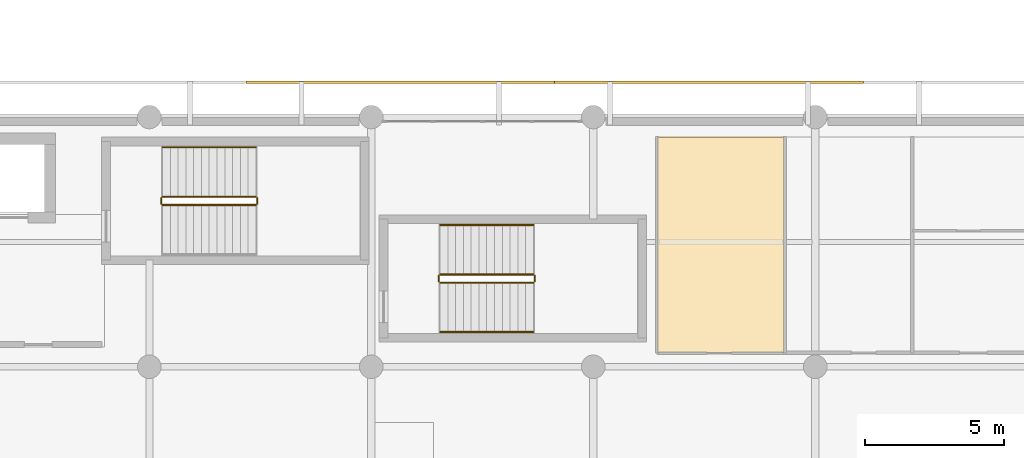
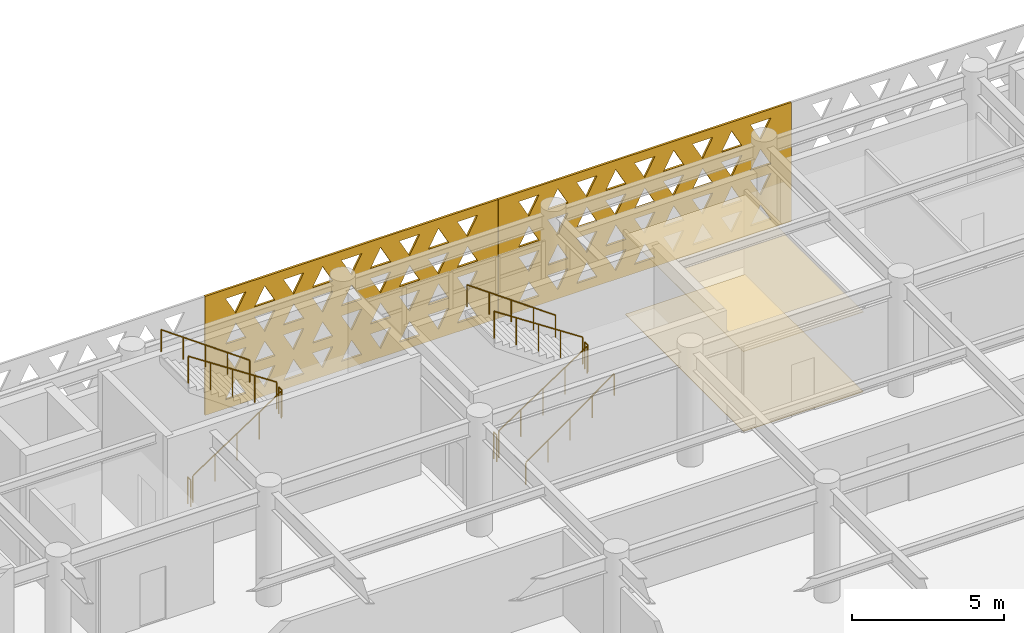
# One storey, part 46 of 54: 11 railings, 4 coverings.
"""IFC4 building model written with IfcOpenShell, lengths in metres."""

from ifc_helpers import new_model, si_unit, direction, frame, origin, origin_2d, place, context, subcontext, project, spatial, polyline, circle, outline, extrude, material, layer, layer_set, type_object, element, save


model = new_model("IFC4")

# Units and contexts
model_context = context("Model", 3, precision=1e-05, world=origin(), true_north=direction((0.0, 1.0)))
body_context = subcontext(model_context, "Body", "Model", "MODEL_VIEW")
ifc_project = project(units=[si_unit("LENGTHUNIT", "METRE"), si_unit("AREAUNIT", "SQUARE_METRE"), si_unit("VOLUMEUNIT", "CUBIC_METRE"), si_unit("PLANEANGLEUNIT", "RADIAN"), si_unit("MASSUNIT", "GRAM", prefix="KILO")], contexts=[model_context])

# Site, building, storey
site_placement = place(None, origin())
site = spatial("IfcSite", under=ifc_project, at=site_placement, CompositionType="ELEMENT")
building_placement = place(site_placement, origin())
building = spatial("IfcBuilding", under=site, at=building_placement, Name="Tlacozan Convention Centre", CompositionType="ELEMENT")
storey_placement = place(building_placement, frame((0.0, 0.0, 11.39990234375)))
storey = spatial("IfcBuildingStorey", under=building, at=storey_placement, Name="L02", CompositionType="ELEMENT", Elevation=11.39990234375)

# Coverings
ifc_material_1 = material(Name="Perforated Acoustic Mineral Fibre Ceiling")
ifc_layer_1 = layer(ifc_material_1, 0.02490234375)
ifc_layer_set_1 = layer_set([ifc_layer_1], Name="Perforated Acoustic Mineral Fibre Ceiling")
covering_type_1 = type_object("IfcCoveringType", Name="Acoustic Mineral Fibre Ceiling 25", PredefinedType="CEILING", material=ifc_layer_set_1)
covering_1_placement = place(storey_placement, frame((0.0, 0.0, 3.2001953125)))
element("IfcCovering", 1, at=covering_1_placement, inside=storey, type_object=covering_type_1, Name="L02 Acoustic Ceiling L02-WC1", PredefinedType="CEILING", context=body_context, shape_type="SweptSolid", body=[
    extrude(outline(polyline([(58.320068359375, 18.52001953125), (62.8798828125, 18.52001953125), (62.8798828125, 26.280029296875), (58.320068359375, 26.280029296875), (58.320068359375, 18.52001953125)])), origin(), (0.0, 0.0, 1.0), 0.02490234375),
])
ifc_material_2 = material(Name="Polished Basalt Terrazzo Flooring", Category="masonry")
ifc_layer_2 = layer(ifc_material_2, 0.02001953125)
ifc_layer_set_2 = layer_set([ifc_layer_2], Name="Polished Basalt Terrazzo Flooring")
covering_type_2 = type_object("IfcCoveringType", Name="Polished Basalt Terrazzo Flooring 20", PredefinedType="FLOORING", material=ifc_layer_set_2)
covering_2_placement = place(storey_placement, origin())
element("IfcCovering", 2, at=covering_2_placement, inside=storey, type_object=covering_type_2, Name="L02 Terrazzo Flooring L02-WC1", PredefinedType="FLOORING", context=body_context, shape_type="SweptSolid", body=[
    extrude(outline(polyline([(58.320068359375, 18.52001953125), (62.8798828125, 18.52001953125), (62.8798828125, 26.280029296875), (58.320068359375, 26.280029296875), (58.320068359375, 18.52001953125)])), origin(), (0.0, 0.0, 1.0), 0.02001953125),
])

# Railings
ifc_material_3 = material(Name="Architectural Painted Galvanised Steel Railing", Category="steel")
railing_type_1 = type_object("IfcRailingType", Name="Stair Wall Handrail 900", PredefinedType="HANDRAIL", material=ifc_material_3)
railing_1_placement = place(storey_placement, frame((43.840087890625, 25.909912109375, 2.584716796875)))
element("IfcRailing", 3, at=railing_1_placement, inside=storey, type_object=railing_type_1, Name="L02 ST-04 stair handrail 2", PredefinedType="HANDRAIL", context=body_context, shape_type="SweptSolid", body=[
    extrude(circle(Radius=0.02392578125, at=origin_2d()), frame((0.0, 0.0, 0.8759765625), z_axis=(-0.813753445783, 0.0, 0.581210228297), x_axis=(0.0, -1.0, 0.0)), (0.0, 0.0, 1.0), 4.129150390625),
    extrude(circle(Radius=0.02099609375, at=origin_2d()), origin(), (0.0, 0.0, 1.0), 0.851806640625),
    extrude(circle(Radius=0.02099609375, at=origin_2d()), frame((-0.840087890625, 0.0, 0.60009765625)), (0.0, 0.0, 1.0), 0.851806640625),
    extrude(circle(Radius=0.02099609375, at=origin_2d()), frame((-1.68017578125, 0.0, 1.199951171875)), (0.0, 0.0, 1.0), 0.851806640625),
    extrude(circle(Radius=0.02099609375, at=origin_2d()), frame((-2.52001953125, 0.0, 1.7998046875)), (0.0, 0.0, 1.0), 0.851806640625),
    extrude(circle(Radius=0.02099609375, at=origin_2d()), frame((-3.360107421875, 0.0, 2.39990234375)), (0.0, 0.0, 1.0), 0.851806640625),
])
railing_2_placement = place(storey_placement, frame((50.47998046875, 19.25, 0.184814453125)))
element("IfcRailing", 4, at=railing_2_placement, inside=storey, type_object=railing_type_1, Name="L02 ST-14 stair handrail 1", PredefinedType="HANDRAIL", context=body_context, shape_type="SweptSolid", body=[
    extrude(circle(Radius=0.02392578125, at=origin_2d()), frame((0.0, 0.0, 0.8759765625), z_axis=(0.813753445783, 0.0, 0.581210228297), x_axis=(0.0, 1.0, 0.0)), (0.0, 0.0, 1.0), 4.129150390625),
    extrude(circle(Radius=0.02099609375, at=origin_2d()), origin(), (0.0, 0.0, 1.0), 0.851806640625),
    extrude(circle(Radius=0.02099609375, at=origin_2d()), frame((0.840087890625, 0.0, 0.60009765625)), (0.0, 0.0, 1.0), 0.851806640625),
    extrude(circle(Radius=0.02099609375, at=origin_2d()), frame((1.68017578125, 0.0, 1.199951171875)), (0.0, 0.0, 1.0), 0.851806640625),
    extrude(circle(Radius=0.02099609375, at=origin_2d()), frame((2.52001953125, 0.0, 1.7998046875)), (0.0, 0.0, 1.0), 0.851806640625),
    extrude(circle(Radius=0.02099609375, at=origin_2d()), frame((3.360107421875, 0.0, 2.39990234375)), (0.0, 0.0, 1.0), 0.851806640625),
])
railing_3_placement = place(storey_placement, frame((53.840087890625, 23.110107421875, 2.584716796875)))
element("IfcRailing", 5, at=railing_3_placement, inside=storey, type_object=railing_type_1, Name="L02 ST-14 stair handrail 2", PredefinedType="HANDRAIL", context=body_context, shape_type="SweptSolid", body=[
    extrude(circle(Radius=0.02392578125, at=origin_2d()), frame((0.0, 0.0, 0.8759765625), z_axis=(-0.813753445783, 0.0, 0.581210228297), x_axis=(0.0, -1.0, 0.0)), (0.0, 0.0, 1.0), 4.129150390625),
    extrude(circle(Radius=0.02099609375, at=origin_2d()), origin(), (0.0, 0.0, 1.0), 0.851806640625),
    extrude(circle(Radius=0.02099609375, at=origin_2d()), frame((-0.840087890625, 0.0, 0.60009765625)), (0.0, 0.0, 1.0), 0.851806640625),
    extrude(circle(Radius=0.02099609375, at=origin_2d()), frame((-1.68017578125, 0.0, 1.199951171875)), (0.0, 0.0, 1.0), 0.851806640625),
    extrude(circle(Radius=0.02099609375, at=origin_2d()), frame((-2.52001953125, 0.0, 1.7998046875)), (0.0, 0.0, 1.0), 0.851806640625),
    extrude(circle(Radius=0.02099609375, at=origin_2d()), frame((-3.360107421875, 0.0, 2.39990234375)), (0.0, 0.0, 1.0), 0.851806640625),
])
railing_type_2 = type_object("IfcRailingType", Name="Stair Well Guardrail 1100", PredefinedType="GUARDRAIL", material=ifc_material_3)
railing_4_placement = place(storey_placement, frame((40.47998046875, 23.830078125, 0.184814453125)))
element("IfcRailing", 6, at=railing_4_placement, inside=storey, type_object=railing_type_2, Name="L02 ST-04 stair guard 1", PredefinedType="GUARDRAIL", context=body_context, shape_type="SweptSolid", body=[
    extrude(circle(Radius=0.02392578125, at=origin_2d()), frame((0.0, 0.0, 1.076171875), z_axis=(0.834876476806, 0.0, 0.550437342915), x_axis=(0.0, 1.0, 0.0)), (0.0, 0.0, 1.0), 4.024658203125),
    extrude(circle(Radius=0.02099609375, at=origin_2d()), origin(), (0.0, 0.0, 1.0), 1.052001953125),
    extrude(circle(Radius=0.02099609375, at=origin_2d()), frame((0.840087890625, 0.0, 0.5537109375)), (0.0, 0.0, 1.0), 1.052001953125),
    extrude(circle(Radius=0.02099609375, at=origin_2d()), frame((1.68017578125, 0.0, 1.107666015625)), (0.0, 0.0, 1.0), 1.052001953125),
    extrude(circle(Radius=0.02099609375, at=origin_2d()), frame((2.52001953125, 0.0, 1.66162109375)), (0.0, 0.0, 1.0), 1.052001953125),
    extrude(circle(Radius=0.02099609375, at=origin_2d()), frame((3.360107421875, 0.0, 2.21533203125)), (0.0, 0.0, 1.0), 1.052001953125),
])
railing_5_placement = place(storey_placement, frame((43.889892578125, 23.8798828125, 2.400146484375)))
element("IfcRailing", 7, at=railing_5_placement, inside=storey, type_object=railing_type_2, Name="L02 ST-04 stair guard 2", PredefinedType="GUARDRAIL", context=body_context, shape_type="SweptSolid", body=[
    extrude(circle(Radius=0.02392578125, at=origin_2d()), frame((0.0, 0.0, 1.076171875), z_axis=(0.0, 1.0, 0.0), x_axis=(-1.0, 0.0, 0.0)), (0.0, 0.0, 1.0), 0.2001953125),
    extrude(circle(Radius=0.02099609375, at=origin_2d()), origin(), (0.0, 0.0, 1.0), 1.052001953125),
    extrude(circle(Radius=0.02099609375, at=origin_2d()), frame((0.0, 0.2001953125, 0.0)), (0.0, 0.0, 1.0), 1.052001953125),
])
railing_6_placement = place(storey_placement, frame((43.840087890625, 24.1298828125, 2.584716796875)))
element("IfcRailing", 8, at=railing_6_placement, inside=storey, type_object=railing_type_2, Name="L02 ST-04 stair guard 3", PredefinedType="GUARDRAIL", context=body_context, shape_type="SweptSolid", body=[
    extrude(circle(Radius=0.02392578125, at=origin_2d()), frame((0.0, 0.0, 1.076171875), z_axis=(-0.834876476806, 0.0, 0.550437342915), x_axis=(0.0, -1.0, 0.0)), (0.0, 0.0, 1.0), 4.024658203125),
    extrude(circle(Radius=0.02099609375, at=origin_2d()), origin(), (0.0, 0.0, 1.0), 1.052001953125),
    extrude(circle(Radius=0.02099609375, at=origin_2d()), frame((-0.840087890625, 0.0, 0.5537109375)), (0.0, 0.0, 1.0), 1.052001953125),
    extrude(circle(Radius=0.02099609375, at=origin_2d()), frame((-1.68017578125, 0.0, 1.107666015625)), (0.0, 0.0, 1.0), 1.052001953125),
    extrude(circle(Radius=0.02099609375, at=origin_2d()), frame((-2.52001953125, 0.0, 1.66162109375)), (0.0, 0.0, 1.0), 1.052001953125),
    extrude(circle(Radius=0.02099609375, at=origin_2d()), frame((-3.360107421875, 0.0, 2.21533203125)), (0.0, 0.0, 1.0), 1.052001953125),
])
railing_7_placement = place(storey_placement, frame((40.429931640625, 23.8798828125, 0.0)))
element("IfcRailing", 9, at=railing_7_placement, inside=storey, type_object=railing_type_2, Name="L02 ST-04 stair guard 4", PredefinedType="GUARDRAIL", context=body_context, shape_type="SweptSolid", body=[
    extrude(circle(Radius=0.02392578125, at=origin_2d()), frame((0.0, 0.0, 1.076171875), z_axis=(0.0, 1.0, 0.0), x_axis=(-1.0, 0.0, 0.0)), (0.0, 0.0, 1.0), 0.2001953125),
    extrude(circle(Radius=0.02099609375, at=origin_2d()), origin(), (0.0, 0.0, 1.0), 1.052001953125),
    extrude(circle(Radius=0.02099609375, at=origin_2d()), frame((0.0, 0.2001953125, 0.0)), (0.0, 0.0, 1.0), 1.052001953125),
])
railing_8_placement = place(storey_placement, frame((50.47998046875, 21.030029296875, 0.184814453125)))
element("IfcRailing", 10, at=railing_8_placement, inside=storey, type_object=railing_type_2, Name="L02 ST-14 stair guard 1", PredefinedType="GUARDRAIL", context=body_context, shape_type="SweptSolid", body=[
    extrude(circle(Radius=0.02392578125, at=origin_2d()), frame((0.0, 0.0, 1.076171875), z_axis=(0.834876476806, 0.0, 0.550437342915), x_axis=(0.0, 1.0, 0.0)), (0.0, 0.0, 1.0), 4.024658203125),
    extrude(circle(Radius=0.02099609375, at=origin_2d()), origin(), (0.0, 0.0, 1.0), 1.052001953125),
    extrude(circle(Radius=0.02099609375, at=origin_2d()), frame((0.840087890625, 0.0, 0.5537109375)), (0.0, 0.0, 1.0), 1.052001953125),
    extrude(circle(Radius=0.02099609375, at=origin_2d()), frame((1.68017578125, 0.0, 1.107666015625)), (0.0, 0.0, 1.0), 1.052001953125),
    extrude(circle(Radius=0.02099609375, at=origin_2d()), frame((2.52001953125, 0.0, 1.66162109375)), (0.0, 0.0, 1.0), 1.052001953125),
    extrude(circle(Radius=0.02099609375, at=origin_2d()), frame((3.360107421875, 0.0, 2.21533203125)), (0.0, 0.0, 1.0), 1.052001953125),
])
railing_9_placement = place(storey_placement, frame((53.889892578125, 21.080078125, 2.400146484375)))
element("IfcRailing", 11, at=railing_9_placement, inside=storey, type_object=railing_type_2, Name="L02 ST-14 stair guard 2", PredefinedType="GUARDRAIL", context=body_context, shape_type="SweptSolid", body=[
    extrude(circle(Radius=0.02392578125, at=origin_2d()), frame((0.0, 0.0, 1.076171875), z_axis=(0.0, 1.0, 0.0), x_axis=(-1.0, 0.0, 0.0)), (0.0, 0.0, 1.0), 0.199951171875),
    extrude(circle(Radius=0.02099609375, at=origin_2d()), origin(), (0.0, 0.0, 1.0), 1.052001953125),
    extrude(circle(Radius=0.02099609375, at=origin_2d()), frame((0.0, 0.199951171875, 0.0)), (0.0, 0.0, 1.0), 1.052001953125),
])
railing_10_placement = place(storey_placement, frame((53.840087890625, 21.330078125, 2.584716796875)))
element("IfcRailing", 12, at=railing_10_placement, inside=storey, type_object=railing_type_2, Name="L02 ST-14 stair guard 3", PredefinedType="GUARDRAIL", context=body_context, shape_type="SweptSolid", body=[
    extrude(circle(Radius=0.02392578125, at=origin_2d()), frame((0.0, 0.0, 1.076171875), z_axis=(-0.834876476806, 0.0, 0.550437342915), x_axis=(0.0, -1.0, 0.0)), (0.0, 0.0, 1.0), 4.024658203125),
    extrude(circle(Radius=0.02099609375, at=origin_2d()), origin(), (0.0, 0.0, 1.0), 1.052001953125),
    extrude(circle(Radius=0.02099609375, at=origin_2d()), frame((-0.840087890625, 0.0, 0.5537109375)), (0.0, 0.0, 1.0), 1.052001953125),
    extrude(circle(Radius=0.02099609375, at=origin_2d()), frame((-1.68017578125, 0.0, 1.107666015625)), (0.0, 0.0, 1.0), 1.052001953125),
    extrude(circle(Radius=0.02099609375, at=origin_2d()), frame((-2.52001953125, 0.0, 1.66162109375)), (0.0, 0.0, 1.0), 1.052001953125),
    extrude(circle(Radius=0.02099609375, at=origin_2d()), frame((-3.360107421875, 0.0, 2.21533203125)), (0.0, 0.0, 1.0), 1.052001953125),
])
railing_11_placement = place(storey_placement, frame((50.429931640625, 21.080078125, 0.0)))
element("IfcRailing", 13, at=railing_11_placement, inside=storey, type_object=railing_type_2, Name="L02 ST-14 stair guard 4", PredefinedType="GUARDRAIL", context=body_context, shape_type="SweptSolid", body=[
    extrude(circle(Radius=0.02392578125, at=origin_2d()), frame((0.0, 0.0, 1.076171875), z_axis=(0.0, 1.0, 0.0), x_axis=(-1.0, 0.0, 0.0)), (0.0, 0.0, 1.0), 0.199951171875),
    extrude(circle(Radius=0.02099609375, at=origin_2d()), origin(), (0.0, 0.0, 1.0), 1.052001953125),
    extrude(circle(Radius=0.02099609375, at=origin_2d()), frame((0.0, 0.199951171875, 0.0)), (0.0, 0.0, 1.0), 1.052001953125),
])

# Coverings
ifc_material_4 = material(Name="Toluca Fired Terracotta Masonry Solar Screen", Category="masonry")
ifc_layer_3 = layer(ifc_material_4, 0.080078125)
ifc_layer_set_3 = layer_set([ifc_layer_3], Name="Toluca Fired Terracotta Masonry Solar Screen")
covering_type_3 = type_object("IfcCoveringType", Name="Terracotta Triangle Solar Screen 80", PredefinedType="USERDEFINED", material=ifc_layer_set_3)
covering_3_placement = place(storey_placement, frame((43.47705078125, 28.25, -0.02978515625), z_axis=(0.0, 0.0, 1.0), x_axis=(1.0, 0.0, 0.0)))
element("IfcCovering", 14, at=covering_3_placement, inside=storey, type_object=covering_type_3, Name="L02 Terracotta Triangle Screen 47", ObjectType="SCREEN", PredefinedType="USERDEFINED", context=body_context, shape_type="SweptSolid", body=[
    extrude(outline(polyline([(0.0, 0.0), (11.127197265625, 0.0), (11.127197265625, 4.77978515625), (0.0, 4.77978515625), (0.0, 0.0)]), holes=[polyline([(0.777587890625, 0.360107421875), (1.549560546875, 0.360107421875), (1.16357421875, 1.074951171875), (0.777587890625, 0.360107421875)]), polyline([(1.877685546875, 1.074951171875), (2.649658203125, 1.074951171875), (2.263671875, 0.360107421875), (1.877685546875, 1.074951171875)]), polyline([(2.9775390625, 0.360107421875), (3.74951171875, 0.360107421875), (3.363525390625, 1.074951171875), (2.9775390625, 0.360107421875)]), polyline([(4.07763671875, 1.074951171875), (4.849609375, 1.074951171875), (4.463623046875, 0.360107421875), (4.07763671875, 1.074951171875)]), polyline([(5.177490234375, 0.360107421875), (5.94970703125, 0.360107421875), (5.5634765625, 1.074951171875), (5.177490234375, 0.360107421875)]), polyline([(6.277587890625, 1.074951171875), (7.049560546875, 1.074951171875), (6.66357421875, 0.360107421875), (6.277587890625, 1.074951171875)]), polyline([(7.377685546875, 0.360107421875), (8.149658203125, 0.360107421875), (7.763671875, 1.074951171875), (7.377685546875, 0.360107421875)]), polyline([(8.4775390625, 1.074951171875), (9.24951171875, 1.074951171875), (8.863525390625, 0.360107421875), (8.4775390625, 1.074951171875)]), polyline([(9.57763671875, 0.360107421875), (10.349609375, 0.360107421875), (9.963623046875, 1.074951171875), (9.57763671875, 0.360107421875)]), polyline([(0.777587890625, 2.18994140625), (1.549560546875, 2.18994140625), (1.16357421875, 1.47509765625), (0.777587890625, 2.18994140625)]), polyline([(1.877685546875, 1.47509765625), (2.649658203125, 1.47509765625), (2.263671875, 2.18994140625), (1.877685546875, 1.47509765625)]), polyline([(2.9775390625, 2.18994140625), (3.74951171875, 2.18994140625), (3.363525390625, 1.47509765625), (2.9775390625, 2.18994140625)]), polyline([(4.07763671875, 1.47509765625), (4.849609375, 1.47509765625), (4.463623046875, 2.18994140625), (4.07763671875, 1.47509765625)]), polyline([(5.177490234375, 2.18994140625), (5.94970703125, 2.18994140625), (5.5634765625, 1.47509765625), (5.177490234375, 2.18994140625)]), polyline([(6.277587890625, 1.47509765625), (7.049560546875, 1.47509765625), (6.66357421875, 2.18994140625), (6.277587890625, 1.47509765625)]), polyline([(7.377685546875, 2.18994140625), (8.149658203125, 2.18994140625), (7.763671875, 1.47509765625), (7.377685546875, 2.18994140625)]), polyline([(8.4775390625, 1.47509765625), (9.24951171875, 1.47509765625), (8.863525390625, 2.18994140625), (8.4775390625, 1.47509765625)]), polyline([(9.57763671875, 2.18994140625), (10.349609375, 2.18994140625), (9.963623046875, 1.47509765625), (9.57763671875, 2.18994140625)]), polyline([(0.777587890625, 2.58984375), (1.549560546875, 2.58984375), (1.16357421875, 3.3046875), (0.777587890625, 2.58984375)]), polyline([(1.877685546875, 3.3046875), (2.649658203125, 3.3046875), (2.263671875, 2.58984375), (1.877685546875, 3.3046875)]), polyline([(2.9775390625, 2.58984375), (3.74951171875, 2.58984375), (3.363525390625, 3.3046875), (2.9775390625, 2.58984375)]), polyline([(4.07763671875, 3.3046875), (4.849609375, 3.3046875), (4.463623046875, 2.58984375), (4.07763671875, 3.3046875)]), polyline([(5.177490234375, 2.58984375), (5.94970703125, 2.58984375), (5.5634765625, 3.3046875), (5.177490234375, 2.58984375)]), polyline([(6.277587890625, 3.3046875), (7.049560546875, 3.3046875), (6.66357421875, 2.58984375), (6.277587890625, 3.3046875)]), polyline([(7.377685546875, 2.58984375), (8.149658203125, 2.58984375), (7.763671875, 3.3046875), (7.377685546875, 2.58984375)]), polyline([(8.4775390625, 3.3046875), (9.24951171875, 3.3046875), (8.863525390625, 2.58984375), (8.4775390625, 3.3046875)]), polyline([(9.57763671875, 2.58984375), (10.349609375, 2.58984375), (9.963623046875, 3.3046875), (9.57763671875, 2.58984375)]), polyline([(0.777587890625, 4.419677734375), (1.549560546875, 4.419677734375), (1.16357421875, 3.704833984375), (0.777587890625, 4.419677734375)]), polyline([(1.877685546875, 3.704833984375), (2.649658203125, 3.704833984375), (2.263671875, 4.419677734375), (1.877685546875, 3.704833984375)]), polyline([(2.9775390625, 4.419677734375), (3.74951171875, 4.419677734375), (3.363525390625, 3.704833984375), (2.9775390625, 4.419677734375)]), polyline([(4.07763671875, 3.704833984375), (4.849609375, 3.704833984375), (4.463623046875, 4.419677734375), (4.07763671875, 3.704833984375)]), polyline([(5.177490234375, 4.419677734375), (5.94970703125, 4.419677734375), (5.5634765625, 3.704833984375), (5.177490234375, 4.419677734375)]), polyline([(6.277587890625, 3.704833984375), (7.049560546875, 3.704833984375), (6.66357421875, 4.419677734375), (6.277587890625, 3.704833984375)]), polyline([(7.377685546875, 4.419677734375), (8.149658203125, 4.419677734375), (7.763671875, 3.704833984375), (7.377685546875, 4.419677734375)]), polyline([(8.4775390625, 3.704833984375), (9.24951171875, 3.704833984375), (8.863525390625, 4.419677734375), (8.4775390625, 3.704833984375)]), polyline([(9.57763671875, 4.419677734375), (10.349609375, 4.419677734375), (9.963623046875, 3.704833984375), (9.57763671875, 4.419677734375)])]), frame((0.0, 0.0400390625, 0.0), z_axis=(0.0, -1.0, 0.0), x_axis=(1.0, 0.0, 0.0)), (0.0, 0.0, 1.0), 0.080078125),
])
covering_4_placement = place(storey_placement, frame((54.6083984375, 28.25, -0.02978515625), z_axis=(0.0, 0.0, 1.0), x_axis=(1.0, 0.0, 0.0)))
element("IfcCovering", 15, at=covering_4_placement, inside=storey, type_object=covering_type_3, Name="L02 Terracotta Triangle Screen 48", ObjectType="SCREEN", PredefinedType="USERDEFINED", context=body_context, shape_type="SweptSolid", body=[
    extrude(outline(polyline([(0.0, 0.0), (11.127197265625, 0.0), (11.127197265625, 4.77978515625), (0.0, 4.77978515625), (0.0, 0.0)]), holes=[polyline([(0.777587890625, 0.360107421875), (1.549560546875, 0.360107421875), (1.16357421875, 1.074951171875), (0.777587890625, 0.360107421875)]), polyline([(1.877685546875, 1.074951171875), (2.649658203125, 1.074951171875), (2.263671875, 0.360107421875), (1.877685546875, 1.074951171875)]), polyline([(2.9775390625, 0.360107421875), (3.74951171875, 0.360107421875), (3.363525390625, 1.074951171875), (2.9775390625, 0.360107421875)]), polyline([(4.07763671875, 1.074951171875), (4.849609375, 1.074951171875), (4.463623046875, 0.360107421875), (4.07763671875, 1.074951171875)]), polyline([(5.177490234375, 0.360107421875), (5.94970703125, 0.360107421875), (5.5634765625, 1.074951171875), (5.177490234375, 0.360107421875)]), polyline([(6.277587890625, 1.074951171875), (7.049560546875, 1.074951171875), (6.66357421875, 0.360107421875), (6.277587890625, 1.074951171875)]), polyline([(7.377685546875, 0.360107421875), (8.149658203125, 0.360107421875), (7.763671875, 1.074951171875), (7.377685546875, 0.360107421875)]), polyline([(8.4775390625, 1.074951171875), (9.24951171875, 1.074951171875), (8.863525390625, 0.360107421875), (8.4775390625, 1.074951171875)]), polyline([(9.57763671875, 0.360107421875), (10.349609375, 0.360107421875), (9.963623046875, 1.074951171875), (9.57763671875, 0.360107421875)]), polyline([(0.777587890625, 2.18994140625), (1.549560546875, 2.18994140625), (1.16357421875, 1.47509765625), (0.777587890625, 2.18994140625)]), polyline([(1.877685546875, 1.47509765625), (2.649658203125, 1.47509765625), (2.263671875, 2.18994140625), (1.877685546875, 1.47509765625)]), polyline([(2.9775390625, 2.18994140625), (3.74951171875, 2.18994140625), (3.363525390625, 1.47509765625), (2.9775390625, 2.18994140625)]), polyline([(4.07763671875, 1.47509765625), (4.849609375, 1.47509765625), (4.463623046875, 2.18994140625), (4.07763671875, 1.47509765625)]), polyline([(5.177490234375, 2.18994140625), (5.94970703125, 2.18994140625), (5.5634765625, 1.47509765625), (5.177490234375, 2.18994140625)]), polyline([(6.277587890625, 1.47509765625), (7.049560546875, 1.47509765625), (6.66357421875, 2.18994140625), (6.277587890625, 1.47509765625)]), polyline([(7.377685546875, 2.18994140625), (8.149658203125, 2.18994140625), (7.763671875, 1.47509765625), (7.377685546875, 2.18994140625)]), polyline([(8.4775390625, 1.47509765625), (9.24951171875, 1.47509765625), (8.863525390625, 2.18994140625), (8.4775390625, 1.47509765625)]), polyline([(9.57763671875, 2.18994140625), (10.349609375, 2.18994140625), (9.963623046875, 1.47509765625), (9.57763671875, 2.18994140625)]), polyline([(0.777587890625, 2.58984375), (1.549560546875, 2.58984375), (1.16357421875, 3.3046875), (0.777587890625, 2.58984375)]), polyline([(1.877685546875, 3.3046875), (2.649658203125, 3.3046875), (2.263671875, 2.58984375), (1.877685546875, 3.3046875)]), polyline([(2.9775390625, 2.58984375), (3.74951171875, 2.58984375), (3.363525390625, 3.3046875), (2.9775390625, 2.58984375)]), polyline([(4.07763671875, 3.3046875), (4.849609375, 3.3046875), (4.463623046875, 2.58984375), (4.07763671875, 3.3046875)]), polyline([(5.177490234375, 2.58984375), (5.94970703125, 2.58984375), (5.5634765625, 3.3046875), (5.177490234375, 2.58984375)]), polyline([(6.277587890625, 3.3046875), (7.049560546875, 3.3046875), (6.66357421875, 2.58984375), (6.277587890625, 3.3046875)]), polyline([(7.377685546875, 2.58984375), (8.149658203125, 2.58984375), (7.763671875, 3.3046875), (7.377685546875, 2.58984375)]), polyline([(8.4775390625, 3.3046875), (9.24951171875, 3.3046875), (8.863525390625, 2.58984375), (8.4775390625, 3.3046875)]), polyline([(9.57763671875, 2.58984375), (10.349609375, 2.58984375), (9.963623046875, 3.3046875), (9.57763671875, 2.58984375)]), polyline([(0.777587890625, 4.419677734375), (1.549560546875, 4.419677734375), (1.16357421875, 3.704833984375), (0.777587890625, 4.419677734375)]), polyline([(1.877685546875, 3.704833984375), (2.649658203125, 3.704833984375), (2.263671875, 4.419677734375), (1.877685546875, 3.704833984375)]), polyline([(2.9775390625, 4.419677734375), (3.74951171875, 4.419677734375), (3.363525390625, 3.704833984375), (2.9775390625, 4.419677734375)]), polyline([(4.07763671875, 3.704833984375), (4.849609375, 3.704833984375), (4.463623046875, 4.419677734375), (4.07763671875, 3.704833984375)]), polyline([(5.177490234375, 4.419677734375), (5.94970703125, 4.419677734375), (5.5634765625, 3.704833984375), (5.177490234375, 4.419677734375)]), polyline([(6.277587890625, 3.704833984375), (7.049560546875, 3.704833984375), (6.66357421875, 4.419677734375), (6.277587890625, 3.704833984375)]), polyline([(7.377685546875, 4.419677734375), (8.149658203125, 4.419677734375), (7.763671875, 3.704833984375), (7.377685546875, 4.419677734375)]), polyline([(8.4775390625, 3.704833984375), (9.24951171875, 3.704833984375), (8.863525390625, 4.419677734375), (8.4775390625, 3.704833984375)]), polyline([(9.57763671875, 4.419677734375), (10.349609375, 4.419677734375), (9.963623046875, 3.704833984375), (9.57763671875, 4.419677734375)])]), frame((0.0, 0.0400390625, 0.0), z_axis=(0.0, -1.0, 0.0), x_axis=(1.0, 0.0, 0.0)), (0.0, 0.0, 1.0), 0.080078125),
])

save(model, "model.ifc")
